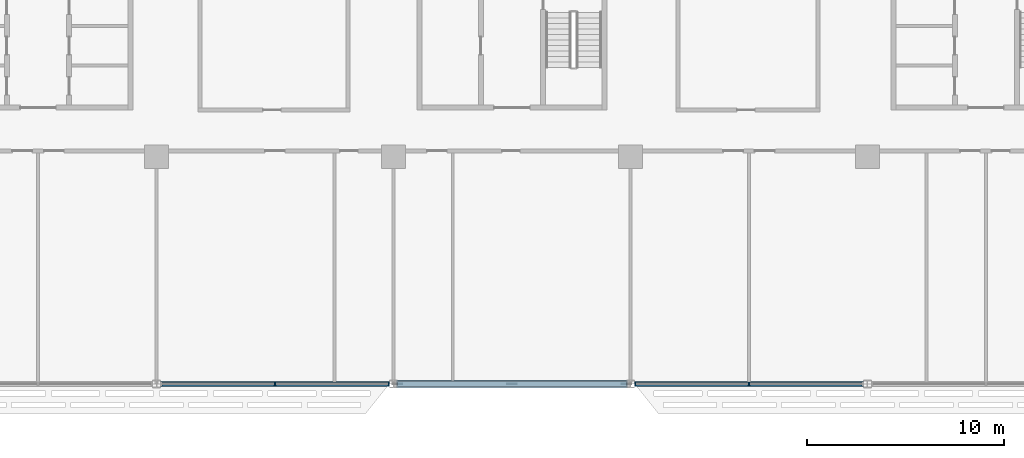
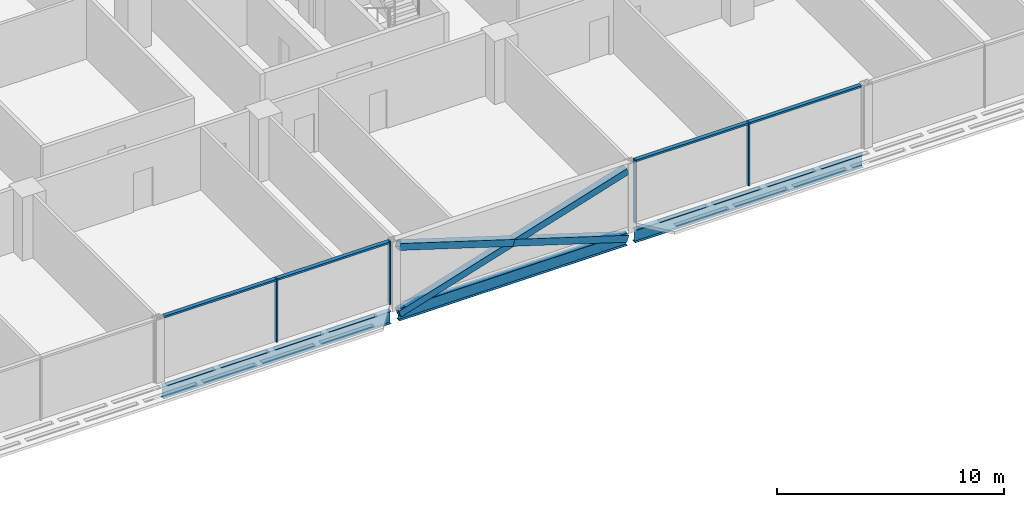
# One storey, part 5 of 28: 11 members, 3 beams, 2 elements without a shape of their own.
"""IFC4 building model written with IfcOpenShell, lengths in metres."""

from ifc_helpers import new_model, si_unit, direction, frame, origin, origin_2d, place, context, subcontext, project, spatial, rectangle, hollow_rectangle, i_section, extrude, material, material_profile, profile_set, type_object, element, aggregate, save


model = new_model("IFC4")

# Units and contexts
model_context = context("Model", 3, precision=1e-05, world=origin(), true_north=direction((0.0, 1.0)))
body_context = subcontext(model_context, "Body", "Model", "MODEL_VIEW")
ifc_project = project(units=[si_unit("LENGTHUNIT", "METRE"), si_unit("AREAUNIT", "SQUARE_METRE"), si_unit("VOLUMEUNIT", "CUBIC_METRE"), si_unit("PLANEANGLEUNIT", "RADIAN"), si_unit("MASSUNIT", "GRAM", prefix="KILO")], contexts=[model_context])

# Site, building, storey
site_placement = place(None, origin())
site = spatial("IfcSite", under=ifc_project, at=site_placement, CompositionType="ELEMENT")
building_placement = place(site_placement, origin())
building = spatial("IfcBuilding", under=site, at=building_placement, Name="Mahtab Terrace Research Tower", CompositionType="ELEMENT")
storey_placement = place(building_placement, frame((0.0, 0.0, 185.800048828125)))
storey = spatial("IfcBuildingStorey", under=building, at=storey_placement, Name="L44", CompositionType="ELEMENT", Elevation=185.800048828125)

# Members
ifc_material_1 = material(Name="Steel ASTM A500 Gr C", Category="steel")
ifc_material_profile_1 = material_profile(ifc_material_1, hollow_rectangle(XDim=0.355712890625, YDim=0.355712890625, WallThickness=0.015869140625, at=origin_2d()), Name="HSS14X14X5/8")
ifc_profile_set_1 = profile_set([ifc_material_profile_1], Name="Steel ASTM A500 Gr C")
member_type_1 = type_object("IfcMemberType", Name="HSS 14x14x5/8 brace XB141458", PredefinedType="BRACE", material=ifc_profile_set_1)
member_1_placement = place(storey_placement, frame((-5.796875, -23.0, -0.61572265625), z_axis=(0.954708641588, 0.0, 0.297542282166), x_axis=(0.0, 1.0, 0.0)))
element("IfcMember", 1, at=member_1_placement, inside=storey, type_object=member_type_1, Name="Exoskeleton brace L44 15 a", PredefinedType="BRACE", context=body_context, shape_type="SweptSolid", body=[
    extrude(hollow_rectangle(XDim=0.355712890625, YDim=0.355712890625, WallThickness=0.015869140625, at=origin_2d()), origin(), (0.0, 0.0, 1.0), 12.143798828125),
])
for number, where, z_axis, x_axis, name in (
    (2, (5.796875, -23.0, -0.61572265625), (-0.954708641588, 0.0, 0.297542282166), (0.0, -1.0, 0.0), "Exoskeleton brace L44 15 b1"),
    (3, (0.0, -23.0, 1.19091796875), (-0.954708641588, 0.0, 0.297542282166), (0.0, -1.0, 0.0), "Exoskeleton brace L44 15 b2"),
):
    element("IfcMember", number, at=place(storey_placement, frame(where, z_axis=z_axis, x_axis=x_axis)), inside=storey, type_object=member_type_1, Name=name, PredefinedType="BRACE", context=body_context, shape_type="SweptSolid", body=[
        extrude(hollow_rectangle(XDim=0.355712890625, YDim=0.355712890625, WallThickness=0.015869140625, at=origin_2d()), origin(), (0.0, 0.0, 1.0), 6.07177734375),
    ])

# Curtain wall, members
ifc_material_2 = material(Name="Laboratory ribbon curtain wall")
curtain_wall_type = type_object("IfcCurtainWallType", Name="Laboratory ribbon curtain wall", PredefinedType="NOTDEFINED", material=ifc_material_2)
curtain_wall_1_placement = place(storey_placement, origin())
curtain_wall_1 = element("IfcCurtainWall", 4, at=curtain_wall_1_placement, inside=storey, type_object=curtain_wall_type, Name="EN.L44.13.25", PredefinedType="NOTDEFINED")
ifc_material_3 = material(Name="Natural anodised aluminium", Category="aluminium")
ifc_material_profile_2 = material_profile(ifc_material_3, rectangle(XDim=0.199951171875, YDim=0.06494140625, at=origin_2d()), Name="MULLION 65x200")
ifc_profile_set_2 = profile_set([ifc_material_profile_2], Name="Natural anodised aluminium")
member_type_2 = type_object("IfcMemberType", Name="Laboratory ribbon curtain wall mullion", PredefinedType="MULLION", material=ifc_profile_set_2)
member_2_placement = place(storey_placement, frame((-12.0, -23.0, 0.0), z_axis=(0.0, 0.0, 1.0), x_axis=(0.0, 1.0, 0.0)))
member_2 = element("IfcMember", 5, at=member_2_placement, type_object=member_type_2, Name="CWL-5 mullion 2", PredefinedType="MULLION", context=body_context, shape_type="SweptSolid", body=[
    extrude(rectangle(XDim=0.199951171875, YDim=0.06494140625, at=origin_2d()), origin(), (0.0, 0.0, 1.0), 3.39990234375),
])
member_3_placement = place(storey_placement, frame((-6.240478515625, -23.0, 0.0), z_axis=(0.0, 0.0, 1.0), x_axis=(0.0, 1.0, 0.0)))
member_3 = element("IfcMember", 6, at=member_3_placement, type_object=member_type_2, Name="CWL-5 mullion 3", PredefinedType="MULLION", context=body_context, shape_type="SweptSolid", body=[
    extrude(rectangle(XDim=0.199951171875, YDim=0.06494140625, at=origin_2d()), origin(), (0.0, 0.0, 1.0), 3.39990234375),
])

curtain_wall_2_placement = place(storey_placement, origin())
curtain_wall_2 = element("IfcCurtainWall", 7, at=curtain_wall_2_placement, inside=storey, type_object=curtain_wall_type, Name="EN.L44.13.27", PredefinedType="NOTDEFINED")
member_4_placement = place(storey_placement, frame((6.240478515625, -23.0, 0.0), z_axis=(0.0, 0.0, 1.0), x_axis=(0.0, 1.0, 0.0)))
member_4 = element("IfcMember", 8, at=member_4_placement, type_object=member_type_2, Name="CWL-5 mullion 1", PredefinedType="MULLION", context=body_context, shape_type="SweptSolid", body=[
    extrude(rectangle(XDim=0.199951171875, YDim=0.06494140625, at=origin_2d()), origin(), (0.0, 0.0, 1.0), 3.39990234375),
])
member_5_placement = place(storey_placement, frame((12.0, -23.0, 0.0), z_axis=(0.0, 0.0, 1.0), x_axis=(0.0, 1.0, 0.0)))
member_5 = element("IfcMember", 9, at=member_5_placement, type_object=member_type_2, Name="CWL-5 mullion 2", PredefinedType="MULLION", context=body_context, shape_type="SweptSolid", body=[
    extrude(rectangle(XDim=0.199951171875, YDim=0.06494140625, at=origin_2d()), origin(), (0.0, 0.0, 1.0), 3.39990234375),
])

# Member
ifc_material_profile_3 = material_profile(ifc_material_3, rectangle(XDim=0.199951171875, YDim=0.10009765625, at=origin_2d()), Name="TRANSOM 100x200")
ifc_profile_set_3 = profile_set([ifc_material_profile_3], Name="Natural anodised aluminium")
member_type_3 = type_object("IfcMemberType", Name="Laboratory ribbon curtain wall transom", PredefinedType="USERDEFINED", material=ifc_profile_set_3)
member_6_placement = place(storey_placement, frame((-17.72705078125, -23.0, 3.349853515625), z_axis=(1.0, 0.0, 0.0), x_axis=(0.0, 1.0, 0.0)))
member_6 = element("IfcMember", 10, at=member_6_placement, type_object=member_type_3, Name="CWL-5 transom 1", ObjectType="TRANSOM", PredefinedType="USERDEFINED", context=body_context, shape_type="SweptSolid", body=[
    extrude(rectangle(XDim=0.199951171875, YDim=0.10009765625, at=origin_2d()), origin(), (0.0, 0.0, 1.0), 5.694580078125),
])

member_7_placement = place(storey_placement, frame((-11.967529296875, -23.0, 3.349853515625), z_axis=(1.0, 0.0, 0.0), x_axis=(0.0, 1.0, 0.0)))
member_7 = element("IfcMember", 11, at=member_7_placement, type_object=member_type_3, Name="CWL-5 transom 2", ObjectType="TRANSOM", PredefinedType="USERDEFINED", context=body_context, shape_type="SweptSolid", body=[
    extrude(rectangle(XDim=0.199951171875, YDim=0.10009765625, at=origin_2d()), origin(), (0.0, 0.0, 1.0), 5.694580078125),
])

aggregate(curtain_wall_1, [member_2, member_3, member_6, member_7])

member_8_placement = place(storey_placement, frame((6.27294921875, -23.0, 3.349853515625), z_axis=(1.0, 0.0, 0.0), x_axis=(0.0, 1.0, 0.0)))
member_8 = element("IfcMember", 12, at=member_8_placement, type_object=member_type_3, Name="CWL-5 transom 1", ObjectType="TRANSOM", PredefinedType="USERDEFINED", context=body_context, shape_type="SweptSolid", body=[
    extrude(rectangle(XDim=0.199951171875, YDim=0.10009765625, at=origin_2d()), origin(), (0.0, 0.0, 1.0), 5.694580078125),
])

member_9_placement = place(storey_placement, frame((12.032470703125, -23.0, 3.349853515625), z_axis=(1.0, 0.0, 0.0), x_axis=(0.0, 1.0, 0.0)))
member_9 = element("IfcMember", 13, at=member_9_placement, type_object=member_type_3, Name="CWL-5 transom 2", ObjectType="TRANSOM", PredefinedType="USERDEFINED", context=body_context, shape_type="SweptSolid", body=[
    extrude(rectangle(XDim=0.199951171875, YDim=0.10009765625, at=origin_2d()), origin(), (0.0, 0.0, 1.0), 5.694580078125),
])

aggregate(curtain_wall_2, [member_4, member_5, member_8, member_9])

# Beams
ifc_material_4 = material(Name="Steel ASTM A992 Gr 50", Category="steel")
ifc_material_profile_4 = material_profile(ifc_material_4, i_section(OverallWidth=0.25390625, OverallDepth=0.67822265625, WebThickness=0.01171875, FlangeThickness=0.016357421875, at=origin_2d()), Name="W27X84")
ifc_profile_set_4 = profile_set([ifc_material_profile_4], Name="Steel ASTM A992 Gr 50")
beam_type = type_object("IfcBeamType", Name="W27x84 beam BS2784", PredefinedType="BEAM", material=ifc_profile_set_4)
for number, where, z_axis, x_axis, name in (
    (14, (-17.796875, -23.0, -0.67919921875), (1.0, 0.0, 0.0), (0.0, 1.0, 0.0), "Spandrel beam L44 14"),
    (15, (-5.796875, -23.0, -0.67919921875), (1.0, 0.0, 0.0), (0.0, 1.0, 0.0), "Spandrel beam L44 15"),
    (16, (6.203125, -23.0, -0.67919921875), (1.0, 0.0, 0.0), (0.0, 1.0, 0.0), "Spandrel beam L44 16"),
):
    element("IfcBeam", number, at=place(storey_placement, frame(where, z_axis=z_axis, x_axis=x_axis)), inside=storey, type_object=beam_type, Name=name, PredefinedType="BEAM", context=body_context, shape_type="SweptSolid", body=[
        extrude(i_section(OverallWidth=0.25390625, OverallDepth=0.67822265625, WebThickness=0.01171875, FlangeThickness=0.016357421875, at=origin_2d()), origin(), (0.0, 0.0, 1.0), 11.59375),
    ])

save(model, "model.ifc")
